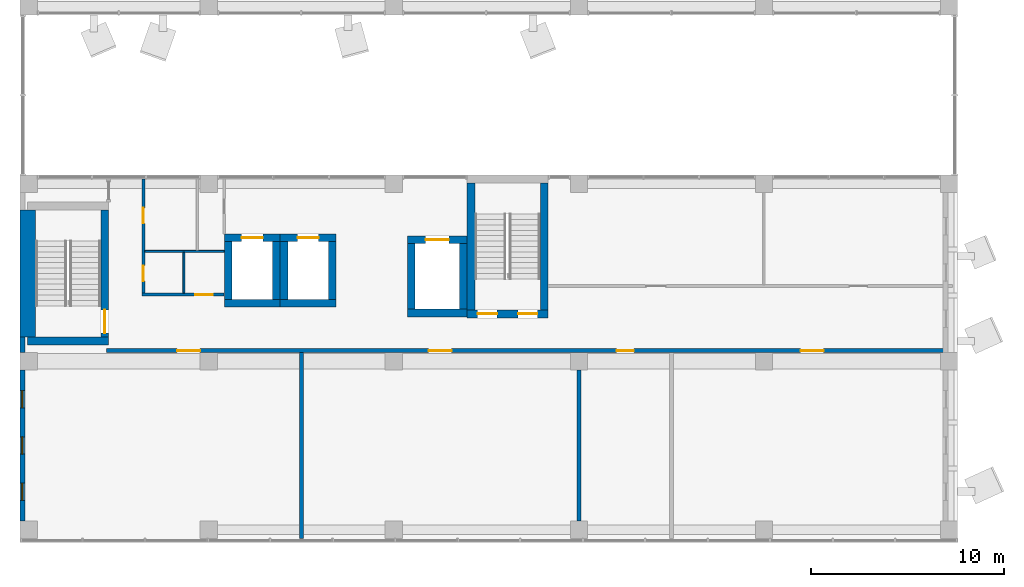
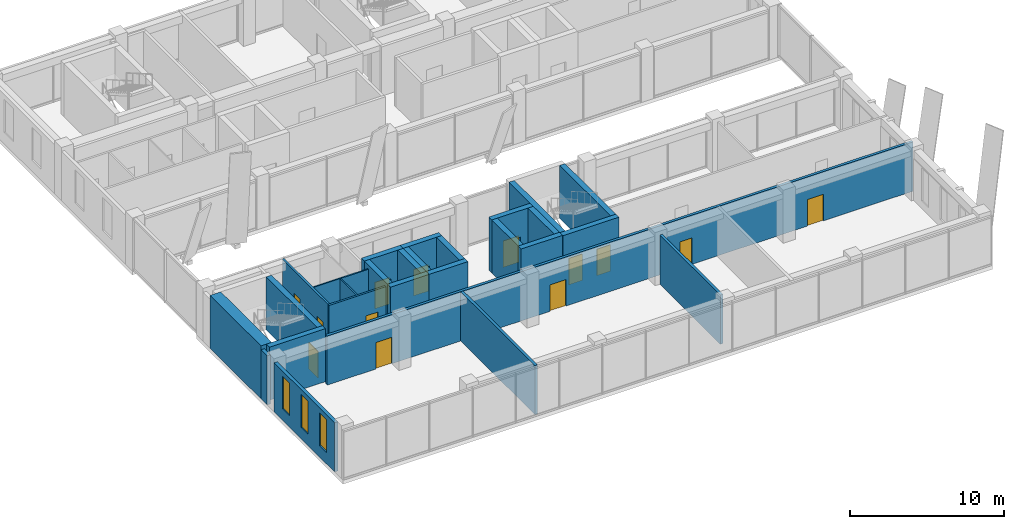
# One storey, part 26 of 36: 27 walls, 13 doors, 3 windows, 16 openings.
"""IFC4 building model written with IfcOpenShell, lengths in metres."""

from ifc_helpers import new_model, si_unit, direction, frame, frame_2d, origin, place, context, subcontext, project, spatial, rectangle, extrude, material, layer, layer_set, layer_usage, type_object, element, fill, save


model = new_model("IFC4")

# Units and contexts
model_context = context("Model", 3, precision=1e-05, world=origin(), true_north=direction((0.0, 1.0)))
body_context = subcontext(model_context, "Body", "Model", "MODEL_VIEW")
ifc_project = project(units=[si_unit("LENGTHUNIT", "METRE"), si_unit("AREAUNIT", "SQUARE_METRE"), si_unit("VOLUMEUNIT", "CUBIC_METRE"), si_unit("PLANEANGLEUNIT", "RADIAN"), si_unit("MASSUNIT", "GRAM", prefix="KILO")], contexts=[model_context])

# Site, building, storey
site_placement = place(None, origin())
site = spatial("IfcSite", under=ifc_project, at=site_placement, CompositionType="ELEMENT")
building_placement = place(site_placement, origin())
building = spatial("IfcBuilding", under=site, at=building_placement, Name="Nzadi Deep Aquarium and Research Tower", CompositionType="ELEMENT")
storey_placement = place(building_placement, frame((0.0, 0.0, 40.300048828125)))
storey = spatial("IfcBuildingStorey", under=building, at=storey_placement, Name="L07", CompositionType="ELEMENT", Elevation=40.300048828125)

# Wall
ifc_material_1 = material(Name="Concrete C35/45", Category="concrete")
ifc_layer_1 = layer(ifc_material_1, 0.14990234375, Category="cladding")
ifc_material_2 = material(Name="Mineral wool insulation")
ifc_layer_2 = layer(ifc_material_2, 0.070068359375, Category="insulation")
ifc_material_3 = material(Name="Gypsum board lining")
ifc_layer_3 = layer(ifc_material_3, 0.030029296875, Category="lining")
ifc_layer_set_1 = layer_set([ifc_layer_1, ifc_layer_2, ifc_layer_3], Name="Concrete C35/45, Mineral wool insulation, Gypsum board lining")
ifc_layer_usage_1 = layer_usage(ifc_layer_set_1, "AXIS2", "POSITIVE", -0.125)
wall_type_1 = type_object("IfcWallType", Name="End wall board-formed concrete 250", PredefinedType="ELEMENTEDWALL", material=ifc_layer_set_1)
wall_1_placement = place(storey_placement, frame((-0.074462890625, 10.449951171875, 0.0), z_axis=(0.0, 0.0, 1.0), x_axis=(0.0, -1.0, 0.0)))
element("IfcWall", 1, at=wall_1_placement, inside=storey, type_object=wall_type_1, material=ifc_layer_usage_1, Name="End wall blade A west L07", PredefinedType="ELEMENTEDWALL", context=body_context, shape_type="SweptSolid", body=[
    extrude(rectangle(XDim=0.800048828125, YDim=0.25, at=frame_2d((0.39990234375, 0.0))), origin(), (0.0, 0.0, 1.0), 3.89990234375),
])

# Wall, openings, windows
ifc_material_4 = material(Name="Graphite aluminium shingle", Category="aluminium")
ifc_layer_4 = layer(ifc_material_4, 0.050048828125, Category="cladding")
ifc_layer_5 = layer(ifc_material_1, 0.10009765625, Category="cladding")
ifc_layer_6 = layer(ifc_material_2, 0.070068359375, Category="insulation")
ifc_layer_7 = layer(ifc_material_3, 0.030029296875, Category="lining")
ifc_layer_set_2 = layer_set([ifc_layer_4, ifc_layer_5, ifc_layer_6, ifc_layer_7], Name="Graphite aluminium shingle, Concrete C35/45, Mineral wool insulation, Gypsum board lining")
ifc_layer_usage_2 = layer_usage(ifc_layer_set_2, "AXIS2", "POSITIVE", -0.125)
wall_type_2 = type_object("IfcWallType", Name="End wall shingle over board-formed concrete 250", PredefinedType="ELEMENTEDWALL", material=ifc_layer_set_2)
wall_2_placement = place(storey_placement, frame((-0.074462890625, 8.75, 0.0), z_axis=(0.0, 0.0, 1.0), x_axis=(0.0, -1.0, 0.0)))
wall_2 = element("IfcWall", 2, at=wall_2_placement, inside=storey, type_object=wall_type_2, material=ifc_layer_usage_2, Name="End wall blade A west L07", PredefinedType="ELEMENTEDWALL", context=body_context, shape_type="SweptSolid", body=[
    extrude(rectangle(XDim=7.85009765625, YDim=0.25, at=frame_2d((3.925048828125, 0.0))), origin(), (0.0, 0.0, 1.0), 3.89990234375),
])
opening_1_placement = place(wall_2_placement, frame((5.875, 0.0, 0.89990234375)))
opening_1 = element("IfcOpeningElement", 3, at=opening_1_placement, cuts=wall_2, Name="Opening WN02", PredefinedType="OPENING", context=body_context, shape_type="SweptSolid", body=[
    extrude(rectangle(XDim=0.89990234375, YDim=2.60009765625, at=frame_2d((0.449951171875, 1.300048828125))), frame((0.0, 0.135009765625, 0.0), z_axis=(0.0, -1.0, 0.0), x_axis=(1.0, 0.0, 0.0)), (0.0, 0.0, 1.0), 0.27001953125),
])
opening_2_placement = place(wall_2_placement, frame((3.47509765625, 0.0, 0.89990234375)))
opening_2 = element("IfcOpeningElement", 4, at=opening_2_placement, cuts=wall_2, Name="Opening WN02", PredefinedType="OPENING", context=body_context, shape_type="SweptSolid", body=[
    extrude(rectangle(XDim=0.89990234375, YDim=2.60009765625, at=frame_2d((0.449951171875, 1.300048828125))), frame((0.0, 0.135009765625, 0.0), z_axis=(0.0, -1.0, 0.0), x_axis=(1.0, 0.0, 0.0)), (0.0, 0.0, 1.0), 0.27001953125),
])
opening_3_placement = place(wall_2_placement, frame((1.074951171875, 0.0, 0.89990234375)))
opening_3 = element("IfcOpeningElement", 5, at=opening_3_placement, cuts=wall_2, Name="Opening WN02", PredefinedType="OPENING", context=body_context, shape_type="SweptSolid", body=[
    extrude(rectangle(XDim=0.89990234375, YDim=2.60009765625, at=frame_2d((0.449951171875, 1.300048828125))), frame((0.0, 0.135009765625, 0.0), z_axis=(0.0, -1.0, 0.0), x_axis=(1.0, 0.0, 0.0)), (0.0, 0.0, 1.0), 0.27001953125),
])
ifc_material_5 = material(Name="Aluminium window, sage tint glazing", Category="aluminium")
window_type = type_object("IfcWindowType", Name="Slot window 900x2600 sill 900", PartitioningType="SINGLE_PANEL", PredefinedType="WINDOW", material=ifc_material_5)
window_1_placement = place(opening_1_placement, origin())
window_1 = element("IfcWindow", 6, at=window_1_placement, inside=storey, type_object=window_type, Name="Slot window L07 AW", OverallHeight=2.60009765625, OverallWidth=0.89990234375, PartitioningType="SINGLE_PANEL", PredefinedType="WINDOW", context=body_context, shape_type="SweptSolid", body=[
    extrude(rectangle(XDim=0.89990234375, YDim=2.60009765625, at=frame_2d((0.449951171875, 1.300048828125))), frame((0.0, 0.030029296875, 0.0), z_axis=(0.0, -1.0, 0.0), x_axis=(1.0, 0.0, 0.0)), (0.0, 0.0, 1.0), 0.06005859375),
])
fill(opening_1, window_1)
window_2_placement = place(opening_2_placement, origin())
window_2 = element("IfcWindow", 7, at=window_2_placement, inside=storey, type_object=window_type, Name="Slot window L07 AW", OverallHeight=2.60009765625, OverallWidth=0.89990234375, PartitioningType="SINGLE_PANEL", PredefinedType="WINDOW", context=body_context, shape_type="SweptSolid", body=[
    extrude(rectangle(XDim=0.89990234375, YDim=2.60009765625, at=frame_2d((0.449951171875, 1.300048828125))), frame((0.0, 0.030029296875, 0.0), z_axis=(0.0, -1.0, 0.0), x_axis=(1.0, 0.0, 0.0)), (0.0, 0.0, 1.0), 0.06005859375),
])
fill(opening_2, window_2)
window_3_placement = place(opening_3_placement, origin())
window_3 = element("IfcWindow", 8, at=window_3_placement, inside=storey, type_object=window_type, Name="Slot window L07 AW", OverallHeight=2.60009765625, OverallWidth=0.89990234375, PartitioningType="SINGLE_PANEL", PredefinedType="WINDOW", context=body_context, shape_type="SweptSolid", body=[
    extrude(rectangle(XDim=0.89990234375, YDim=2.60009765625, at=frame_2d((0.449951171875, 1.300048828125))), frame((0.0, 0.030029296875, 0.0), z_axis=(0.0, -1.0, 0.0), x_axis=(1.0, 0.0, 0.0)), (0.0, 0.0, 1.0), 0.06005859375),
])
fill(opening_3, window_3)

# Walls
ifc_material_6 = material(Name="Blockwork masonry", Category="masonry")
ifc_layer_8 = layer(ifc_material_6, 0.10009765625)
ifc_layer_set_3 = layer_set([ifc_layer_8], Name="Blockwork masonry")
wall_type_3 = type_object("IfcWallType", Name="Partition 100 EI 30", PredefinedType="PARTITIONING", material=ifc_layer_set_3)
wall_3_placement = place(storey_placement, frame((6.27490234375, 14.89990234375, 0.0), z_axis=(0.0, 0.0, 1.0), x_axis=(1.0, 0.0, 0.0)))
element("IfcWall", 9, at=wall_3_placement, inside=storey, type_object=wall_type_3, Name="W-Z1-L07-P010", PredefinedType="PARTITIONING", context=body_context, shape_type="SweptSolid", body=[
    extrude(rectangle(XDim=4.119140625, YDim=0.10009765625, at=frame_2d((2.0595703125, 0.0))), origin(), (0.0, 0.0, 1.0), 3.89990234375),
])
wall_4_placement = place(storey_placement, frame((8.300048828125, 12.72509765625, 0.0), z_axis=(0.0, 0.0, 1.0), x_axis=(0.0, 1.0, 0.0)))
element("IfcWall", 10, at=wall_4_placement, inside=storey, type_object=wall_type_3, Name="W-Z1-L07-P012", PredefinedType="PARTITIONING", context=body_context, shape_type="SweptSolid", body=[
    extrude(rectangle(XDim=2.125, YDim=0.10009765625, at=frame_2d((1.0625, 0.0))), origin(), (0.0, 0.0, 1.0), 3.89990234375),
])

# Wall, opening, door
ifc_material_7 = material(Name="Blockwork masonry", Category="masonry")
ifc_layer_9 = layer(ifc_material_7, 0.14990234375)
ifc_layer_set_4 = layer_set([ifc_layer_9], Name="Blockwork masonry")
wall_type_4 = type_object("IfcWallType", Name="Partition 150 EI 60", PredefinedType="PARTITIONING", material=ifc_layer_set_4)
wall_5_placement = place(storey_placement, frame((6.125, 12.64990234375, 0.0), z_axis=(0.0, 0.0, 1.0), x_axis=(1.0, 0.0, 0.0)))
wall_5 = element("IfcWall", 11, at=wall_5_placement, inside=storey, type_object=wall_type_4, Name="W-Z1-L07-P008", PredefinedType="PARTITIONING", context=body_context, shape_type="SweptSolid", body=[
    extrude(rectangle(XDim=4.26904296875, YDim=0.14990234375, at=frame_2d((2.134521484375, 0.0))), origin(), (0.0, 0.0, 1.0), 3.89990234375),
])
opening_4_placement = place(wall_5_placement, frame((2.77490234375, 0.0, 0.0)))
opening_4 = element("IfcOpeningElement", 12, at=opening_4_placement, cuts=wall_5, Name="Opening D081003", PredefinedType="OPENING", context=body_context, shape_type="SweptSolid", body=[
    extrude(rectangle(XDim=0.89990234375, YDim=2.10009765625, at=frame_2d((0.449951171875, 1.050048828125))), frame((0.0, 0.0849609375, 0.0), z_axis=(0.0, -1.0, 0.0), x_axis=(1.0, 0.0, 0.0)), (0.0, 0.0, 1.0), 0.169921875),
])
ifc_material_8 = material(Name="Fire-rated steel door", Category="steel")
ifc_layer_10 = layer(ifc_material_8, 0.050048828125)
ifc_layer_set_5 = layer_set([ifc_layer_10], Name="Fire-rated steel door")
door_type_1 = type_object("IfcDoorType", Name="Door 900x2100 EI 60 single", OperationType="SINGLE_SWING_LEFT", PredefinedType="DOOR", material=ifc_layer_set_5)
door_1_placement = place(opening_4_placement, origin())
door_1 = element("IfcDoor", 13, at=door_1_placement, inside=storey, type_object=door_type_1, Name="D081003", OperationType="SINGLE_SWING_RIGHT", OverallHeight=2.10009765625, OverallWidth=0.89990234375, PredefinedType="DOOR", context=body_context, shape_type="SweptSolid", body=[
    extrude(rectangle(XDim=0.89990234375, YDim=2.10009765625, at=frame_2d((0.449951171875, 1.050048828125))), frame((0.0, 0.02490234375, 0.0), z_axis=(0.0, -1.0, 0.0), x_axis=(1.0, 0.0, 0.0)), (0.0, 0.0, 1.0), 0.050048828125),
])
fill(opening_4, door_1)

# Wall, openings, doors
wall_6_placement = place(storey_placement, frame((6.199951171875, 12.72509765625, 0.0), z_axis=(0.0, 0.0, 1.0), x_axis=(0.0, 1.0, 0.0)))
wall_6 = element("IfcWall", 14, at=wall_6_placement, inside=storey, type_object=wall_type_4, Name="W-Z1-L07-P009", PredefinedType="PARTITIONING", context=body_context, shape_type="SweptSolid", body=[
    extrude(rectangle(XDim=5.9189453125, YDim=0.14990234375, at=frame_2d((2.95947265625, 0.0))), origin(), (0.0, 0.0, 1.0), 3.89990234375),
])
opening_5_placement = place(wall_6_placement, frame((0.625, 0.0, 0.0)))
opening_5 = element("IfcOpeningElement", 15, at=opening_5_placement, cuts=wall_6, Name="Opening D081002", PredefinedType="OPENING", context=body_context, shape_type="SweptSolid", body=[
    extrude(rectangle(XDim=0.800048828125, YDim=2.10009765625, at=frame_2d((0.39990234375, 1.050048828125))), frame((0.0, 0.0849609375, 0.0), z_axis=(0.0, -1.0, 0.0), x_axis=(1.0, 0.0, 0.0)), (0.0, 0.0, 1.0), 0.169921875),
])
opening_6_placement = place(wall_6_placement, frame((3.625, 0.0, 0.0)))
opening_6 = element("IfcOpeningElement", 16, at=opening_6_placement, cuts=wall_6, Name="Opening D081004", PredefinedType="OPENING", context=body_context, shape_type="SweptSolid", body=[
    extrude(rectangle(XDim=0.800048828125, YDim=2.10009765625, at=frame_2d((0.39990234375, 1.050048828125))), frame((0.0, 0.0849609375, 0.0), z_axis=(0.0, -1.0, 0.0), x_axis=(1.0, 0.0, 0.0)), (0.0, 0.0, 1.0), 0.169921875),
])
ifc_material_9 = material(Name="Fire-rated steel door", Category="steel")
ifc_layer_11 = layer(ifc_material_9, 0.050048828125)
ifc_layer_set_6 = layer_set([ifc_layer_11], Name="Fire-rated steel door")
door_type_2 = type_object("IfcDoorType", Name="Door 800x2100 EI 60 single", OperationType="SINGLE_SWING_LEFT", PredefinedType="DOOR", material=ifc_layer_set_6)
door_2_placement = place(opening_5_placement, origin())
door_2 = element("IfcDoor", 17, at=door_2_placement, inside=storey, type_object=door_type_2, Name="D081002", OperationType="SINGLE_SWING_LEFT", OverallHeight=2.10009765625, OverallWidth=0.800048828125, PredefinedType="DOOR", context=body_context, shape_type="SweptSolid", body=[
    extrude(rectangle(XDim=0.800048828125, YDim=2.10009765625, at=frame_2d((0.39990234375, 1.050048828125))), frame((0.0, 0.02490234375, 0.0), z_axis=(0.0, -1.0, 0.0), x_axis=(1.0, 0.0, 0.0)), (0.0, 0.0, 1.0), 0.050048828125),
])
fill(opening_5, door_2)
door_3_placement = place(opening_6_placement, origin())
door_3 = element("IfcDoor", 18, at=door_3_placement, inside=storey, type_object=door_type_2, Name="D081004", OperationType="SINGLE_SWING_LEFT", OverallHeight=2.10009765625, OverallWidth=0.800048828125, PredefinedType="DOOR", context=body_context, shape_type="SweptSolid", body=[
    extrude(rectangle(XDim=0.800048828125, YDim=2.10009765625, at=frame_2d((0.39990234375, 1.050048828125))), frame((0.0, 0.02490234375, 0.0), z_axis=(0.0, -1.0, 0.0), x_axis=(1.0, 0.0, 0.0)), (0.0, 0.0, 1.0), 0.050048828125),
])
fill(opening_6, door_3)

ifc_material_10 = material(Name="Blockwork masonry", Category="masonry")
ifc_layer_12 = layer(ifc_material_10, 0.199951171875)
ifc_layer_set_7 = layer_set([ifc_layer_12], Name="Blockwork masonry")
wall_type_5 = type_object("IfcWallType", Name="Partition 200 EI 120", PredefinedType="PARTITIONING", material=ifc_layer_set_7)
wall_7_placement = place(storey_placement, frame((4.300048828125, 9.75, 0.0), z_axis=(0.0, 0.0, 1.0), x_axis=(1.0, 0.0, 0.0)))
wall_7 = element("IfcWall", 19, at=wall_7_placement, inside=storey, type_object=wall_type_5, Name="W-Z1-L07-P005", PredefinedType="PARTITIONING", context=body_context, shape_type="SweptSolid", body=[
    extrude(rectangle(XDim=43.89404296875, YDim=0.199951171875, at=frame_2d((21.947021484375, 0.0))), origin(), (0.0, 0.0, 1.0), 3.89990234375),
])
opening_7_placement = place(wall_7_placement, frame((3.64990234375, 0.0, 0.0)))
opening_7 = element("IfcOpeningElement", 20, at=opening_7_placement, cuts=wall_7, Name="Opening D081006", PredefinedType="OPENING", context=body_context, shape_type="SweptSolid", body=[
    extrude(rectangle(XDim=1.199951171875, YDim=2.10009765625, at=frame_2d((0.60009765625, 1.050048828125))), frame((0.0, 0.110107421875, 0.0), z_axis=(0.0, -1.0, 0.0), x_axis=(1.0, 0.0, 0.0)), (0.0, 0.0, 1.0), 0.22021484375),
])
opening_8_placement = place(wall_7_placement, frame((16.699951171875, 0.0, 0.0)))
opening_8 = element("IfcOpeningElement", 21, at=opening_8_placement, cuts=wall_7, Name="Opening D081007", PredefinedType="OPENING", context=body_context, shape_type="SweptSolid", body=[
    extrude(rectangle(XDim=1.199951171875, YDim=2.10009765625, at=frame_2d((0.60009765625, 1.050048828125))), frame((0.0, 0.110107421875, 0.0), z_axis=(0.0, -1.0, 0.0), x_axis=(1.0, 0.0, 0.0)), (0.0, 0.0, 1.0), 0.22021484375),
])
opening_9_placement = place(wall_7_placement, frame((26.449951171875, 0.0, 0.0)))
opening_9 = element("IfcOpeningElement", 22, at=opening_9_placement, cuts=wall_7, Name="Opening D081008", PredefinedType="OPENING", context=body_context, shape_type="SweptSolid", body=[
    extrude(rectangle(XDim=0.89990234375, YDim=2.10009765625, at=frame_2d((0.449951171875, 1.050048828125))), frame((0.0, 0.110107421875, 0.0), z_axis=(0.0, -1.0, 0.0), x_axis=(1.0, 0.0, 0.0)), (0.0, 0.0, 1.0), 0.22021484375),
])
opening_10_placement = place(wall_7_placement, frame((36.0, 0.0, 0.0)))
opening_10 = element("IfcOpeningElement", 23, at=opening_10_placement, cuts=wall_7, Name="Opening D081009", PredefinedType="OPENING", context=body_context, shape_type="SweptSolid", body=[
    extrude(rectangle(XDim=1.199951171875, YDim=2.10009765625, at=frame_2d((0.60009765625, 1.050048828125))), frame((0.0, 0.110107421875, 0.0), z_axis=(0.0, -1.0, 0.0), x_axis=(1.0, 0.0, 0.0)), (0.0, 0.0, 1.0), 0.22021484375),
])
ifc_material_11 = material(Name="Fire-rated steel door", Category="steel")
ifc_layer_13 = layer(ifc_material_11, 0.050048828125)
ifc_layer_set_8 = layer_set([ifc_layer_13], Name="Fire-rated steel door")
door_type_3 = type_object("IfcDoorType", Name="Door 1200x2100 EI 120 single", OperationType="SINGLE_SWING_LEFT", PredefinedType="DOOR", material=ifc_layer_set_8)
door_4_placement = place(opening_7_placement, origin())
door_4 = element("IfcDoor", 24, at=door_4_placement, inside=storey, type_object=door_type_3, Name="D081006", OperationType="SINGLE_SWING_RIGHT", OverallHeight=2.10009765625, OverallWidth=1.199951171875, PredefinedType="DOOR", context=body_context, shape_type="SweptSolid", body=[
    extrude(rectangle(XDim=1.199951171875, YDim=2.10009765625, at=frame_2d((0.60009765625, 1.050048828125))), frame((0.0, 0.02490234375, 0.0), z_axis=(0.0, -1.0, 0.0), x_axis=(1.0, 0.0, 0.0)), (0.0, 0.0, 1.0), 0.050048828125),
])
fill(opening_7, door_4)
door_5_placement = place(opening_8_placement, origin())
door_5 = element("IfcDoor", 25, at=door_5_placement, inside=storey, type_object=door_type_3, Name="D081007", OperationType="SINGLE_SWING_RIGHT", OverallHeight=2.10009765625, OverallWidth=1.199951171875, PredefinedType="DOOR", context=body_context, shape_type="SweptSolid", body=[
    extrude(rectangle(XDim=1.199951171875, YDim=2.10009765625, at=frame_2d((0.60009765625, 1.050048828125))), frame((0.0, 0.02490234375, 0.0), z_axis=(0.0, -1.0, 0.0), x_axis=(1.0, 0.0, 0.0)), (0.0, 0.0, 1.0), 0.050048828125),
])
fill(opening_8, door_5)
door_6_placement = place(opening_10_placement, origin())
door_6 = element("IfcDoor", 26, at=door_6_placement, inside=storey, type_object=door_type_3, Name="D081009", OperationType="SINGLE_SWING_LEFT", OverallHeight=2.10009765625, OverallWidth=1.199951171875, PredefinedType="DOOR", context=body_context, shape_type="SweptSolid", body=[
    extrude(rectangle(XDim=1.199951171875, YDim=2.10009765625, at=frame_2d((0.60009765625, 1.050048828125))), frame((0.0, 0.02490234375, 0.0), z_axis=(0.0, -1.0, 0.0), x_axis=(1.0, 0.0, 0.0)), (0.0, 0.0, 1.0), 0.050048828125),
])
fill(opening_10, door_6)
ifc_material_12 = material(Name="Fire-rated steel door", Category="steel")
ifc_layer_14 = layer(ifc_material_12, 0.050048828125)
ifc_layer_set_9 = layer_set([ifc_layer_14], Name="Fire-rated steel door")
door_type_4 = type_object("IfcDoorType", Name="Door 900x2100 EI 120 single", OperationType="SINGLE_SWING_LEFT", PredefinedType="DOOR", material=ifc_layer_set_9)
door_7_placement = place(opening_9_placement, origin())
door_7 = element("IfcDoor", 27, at=door_7_placement, inside=storey, type_object=door_type_4, Name="D081008", OperationType="SINGLE_SWING_LEFT", OverallHeight=2.10009765625, OverallWidth=0.89990234375, PredefinedType="DOOR", context=body_context, shape_type="SweptSolid", body=[
    extrude(rectangle(XDim=0.89990234375, YDim=2.10009765625, at=frame_2d((0.449951171875, 1.050048828125))), frame((0.0, 0.02490234375, 0.0), z_axis=(0.0, -1.0, 0.0), x_axis=(1.0, 0.0, 0.0)), (0.0, 0.0, 1.0), 0.050048828125),
])
fill(opening_9, door_7)

# Walls
wall_8_placement = place(storey_placement, frame((14.39990234375, 0.006103515625, 0.0), z_axis=(0.0, 0.0, 1.0), x_axis=(0.0, 1.0, 0.0)))
element("IfcWall", 28, at=wall_8_placement, inside=storey, type_object=wall_type_5, Name="W-Z1-L07-P023", PredefinedType="PARTITIONING", context=body_context, shape_type="SweptSolid", body=[
    extrude(rectangle(XDim=9.643798828125, YDim=0.199951171875, at=frame_2d((4.82177734375, 0.0))), origin(), (0.0, 0.0, 1.0), 3.89990234375),
])
wall_9_placement = place(storey_placement, frame((28.800048828125, 0.89990234375, 0.0), z_axis=(0.0, 0.0, 1.0), x_axis=(0.0, 1.0, 0.0)))
element("IfcWall", 29, at=wall_9_placement, inside=storey, type_object=wall_type_5, Name="W-Z1-L07-P035", PredefinedType="PARTITIONING", context=body_context, shape_type="SweptSolid", body=[
    extrude(rectangle(XDim=7.85009765625, YDim=0.199951171875, at=frame_2d((3.925048828125, 0.0))), origin(), (0.0, 0.0, 1.0), 3.89990234375),
])
ifc_material_13 = material(Name="Concrete C35/45", Category="concrete")
ifc_layer_15 = layer(ifc_material_13, 0.39990234375)
ifc_layer_set_10 = layer_set([ifc_layer_15], Name="Concrete C35/45")
wall_type_6 = type_object("IfcWallType", Name="RC core wall 400", PredefinedType="SHEAR", material=ifc_layer_set_10)
wall_10_placement = place(storey_placement, frame((0.199951171875, 10.25, 0.0), z_axis=(0.0, 0.0, 1.0), x_axis=(1.0, 0.0, 0.0)))
element("IfcWall", 30, at=wall_10_placement, inside=storey, type_object=wall_type_6, Name="W-CORE-ST-Z1-SW-L07-S", PredefinedType="SHEAR", context=body_context, shape_type="SweptSolid", body=[
    extrude(rectangle(XDim=4.199951171875, YDim=0.39990234375, at=frame_2d((2.10009765625, 0.0))), origin(), (0.0, 0.0, 1.0), 4.199951171875),
])

# Wall, opening, door
wall_11_placement = place(storey_placement, frame((4.199951171875, 10.449951171875, 0.0), z_axis=(0.0, 0.0, 1.0), x_axis=(0.0, 1.0, 0.0)))
wall_11 = element("IfcWall", 31, at=wall_11_placement, inside=storey, type_object=wall_type_6, Name="W-CORE-ST-Z1-SW-L07-E", PredefinedType="SHEAR", context=body_context, shape_type="SweptSolid", body=[
    extrude(rectangle(XDim=6.60009765625, YDim=0.39990234375, at=frame_2d((3.300048828125, 0.0))), origin(), (0.0, 0.0, 1.0), 4.199951171875),
])
opening_11_placement = place(wall_11_placement, frame((0.2099609375, 0.0, 0.0)))
opening_11 = element("IfcOpeningElement", 32, at=opening_11_placement, cuts=wall_11, Name="Opening DS-Z1-SW-L07", PredefinedType="OPENING", context=body_context, shape_type="SweptSolid", body=[
    extrude(rectangle(XDim=1.199951171875, YDim=2.10009765625, at=frame_2d((0.60009765625, 1.050048828125))), frame((0.0, 0.2099609375, 0.0), z_axis=(0.0, -1.0, 0.0), x_axis=(1.0, 0.0, 0.0)), (0.0, 0.0, 1.0), 0.419921875),
])
ifc_material_14 = material(Name="Steel, powder coated", Category="steel")
door_type_5 = type_object("IfcDoorType", Name="STAIR DOOR 1200x2100 EI 60", OperationType="SINGLE_SWING_LEFT", PredefinedType="DOOR", material=ifc_material_14)
door_8_placement = place(opening_11_placement, origin())
door_8 = element("IfcDoor", 33, at=door_8_placement, inside=storey, type_object=door_type_5, Name="Stair door ST-Z1-SW L07", OperationType="SINGLE_SWING_RIGHT", OverallHeight=2.10009765625, OverallWidth=1.199951171875, PredefinedType="DOOR", context=body_context, shape_type="SweptSolid", body=[
    extrude(rectangle(XDim=1.199951171875, YDim=2.10009765625, at=frame_2d((0.60009765625, 1.050048828125))), frame((0.0, 0.02490234375, 0.0), z_axis=(0.0, -1.0, 0.0), x_axis=(1.0, 0.0, 0.0)), (0.0, 0.0, 1.0), 0.050048828125),
])
fill(opening_11, door_8)

# Wall, openings, doors
wall_12_placement = place(storey_placement, frame((23.0, 11.64990234375, 0.0), z_axis=(0.0, 0.0, 1.0), x_axis=(1.0, 0.0, 0.0)))
wall_12 = element("IfcWall", 34, at=wall_12_placement, inside=storey, type_object=wall_type_6, Name="W-CORE-ST-Z1-SE-L07-S", PredefinedType="SHEAR", context=body_context, shape_type="SweptSolid", body=[
    extrude(rectangle(XDim=4.199951171875, YDim=0.39990234375, at=frame_2d((2.10009765625, 0.0))), origin(), (0.0, 0.0, 1.0), 4.199951171875),
])
opening_12_placement = place(wall_12_placement, frame((0.550048828125, 0.0, 0.0)))
opening_12 = element("IfcOpeningElement", 35, at=opening_12_placement, cuts=wall_12, Name="Opening DS-Z1-SE-L07A", PredefinedType="OPENING", context=body_context, shape_type="SweptSolid", body=[
    extrude(rectangle(XDim=1.0, YDim=2.10009765625, at=frame_2d((0.5, 1.050048828125))), frame((0.0, 0.2099609375, 0.0), z_axis=(0.0, -1.0, 0.0), x_axis=(1.0, 0.0, 0.0)), (0.0, 0.0, 1.0), 0.419921875),
])
opening_13_placement = place(wall_12_placement, frame((2.64990234375, 0.0, 0.0)))
opening_13 = element("IfcOpeningElement", 36, at=opening_13_placement, cuts=wall_12, Name="Opening DS-Z1-SE-L07B", PredefinedType="OPENING", context=body_context, shape_type="SweptSolid", body=[
    extrude(rectangle(XDim=1.0, YDim=2.10009765625, at=frame_2d((0.5, 1.050048828125))), frame((0.0, 0.2099609375, 0.0), z_axis=(0.0, -1.0, 0.0), x_axis=(1.0, 0.0, 0.0)), (0.0, 0.0, 1.0), 0.419921875),
])
ifc_material_15 = material(Name="Steel, powder coated", Category="steel")
door_type_6 = type_object("IfcDoorType", Name="STAIR DOOR 1000x2100 EI 60", OperationType="SINGLE_SWING_LEFT", PredefinedType="DOOR", material=ifc_material_15)
door_9_placement = place(opening_12_placement, origin())
door_9 = element("IfcDoor", 37, at=door_9_placement, inside=storey, type_object=door_type_6, Name="Stair door ST-Z1-SE L07 A", OperationType="SINGLE_SWING_RIGHT", OverallHeight=2.10009765625, OverallWidth=1.0, PredefinedType="DOOR", context=body_context, shape_type="SweptSolid", body=[
    extrude(rectangle(XDim=1.0, YDim=2.10009765625, at=frame_2d((0.5, 1.050048828125))), frame((0.0, 0.02490234375, 0.0), z_axis=(0.0, -1.0, 0.0), x_axis=(1.0, 0.0, 0.0)), (0.0, 0.0, 1.0), 0.050048828125),
])
fill(opening_12, door_9)
door_10_placement = place(opening_13_placement, origin())
door_10 = element("IfcDoor", 38, at=door_10_placement, inside=storey, type_object=door_type_6, Name="Stair door ST-Z1-SE L07 B", OperationType="SINGLE_SWING_LEFT", OverallHeight=2.10009765625, OverallWidth=1.0, PredefinedType="DOOR", context=body_context, shape_type="SweptSolid", body=[
    extrude(rectangle(XDim=1.0, YDim=2.10009765625, at=frame_2d((0.5, 1.050048828125))), frame((0.0, 0.02490234375, 0.0), z_axis=(0.0, -1.0, 0.0), x_axis=(1.0, 0.0, 0.0)), (0.0, 0.0, 1.0), 0.050048828125),
])
fill(opening_13, door_10)

# Walls
for number, where, z_axis, x_axis, name in (
    (39, (23.199951171875, 11.85009765625, 0.0), (0.0, 0.0, 1.0), (0.0, 1.0, 0.0), "W-CORE-ST-Z1-SE-L07-W"),
    (40, (27.0, 11.85009765625, 0.0), (0.0, 0.0, 1.0), (0.0, 1.0, 0.0), "W-CORE-ST-Z1-SE-L07-E"),
):
    element("IfcWall", number, at=place(storey_placement, frame(where, z_axis=z_axis, x_axis=x_axis)), inside=storey, type_object=wall_type_6, Name=name, PredefinedType="SHEAR", context=body_context, shape_type="SweptSolid", body=[
        extrude(rectangle(XDim=6.599853515625, YDim=0.39990234375, at=frame_2d((3.2998046875, 0.0))), origin(), (0.0, 0.0, 1.0), 4.199951171875),
    ])
wall_13_placement = place(storey_placement, frame((10.39990234375, 12.199951171875, 0.0), z_axis=(0.0, 0.0, 1.0), x_axis=(1.0, 0.0, 0.0)))
element("IfcWall", 41, at=wall_13_placement, inside=storey, type_object=wall_type_6, Name="W-CORE-TL1-L07-S", PredefinedType="SHEAR", context=body_context, shape_type="SweptSolid", body=[
    extrude(rectangle(XDim=2.900146484375, YDim=0.39990234375, at=frame_2d((1.4501953125, 0.0))), origin(), (0.0, 0.0, 1.0), 4.199951171875),
])

# Wall, opening, door
wall_14_placement = place(storey_placement, frame((10.39990234375, 15.60009765625, 0.0), z_axis=(0.0, 0.0, 1.0), x_axis=(1.0, 0.0, 0.0)))
wall_14 = element("IfcWall", 42, at=wall_14_placement, inside=storey, type_object=wall_type_6, Name="W-CORE-TL1-L07-N", PredefinedType="SHEAR", context=body_context, shape_type="SweptSolid", body=[
    extrude(rectangle(XDim=2.900146484375, YDim=0.39990234375, at=frame_2d((1.4501953125, 0.0))), origin(), (0.0, 0.0, 1.0), 4.199951171875),
])
opening_14_placement = place(wall_14_placement, frame((0.89990234375, 0.0, 0.0)))
opening_14 = element("IfcOpeningElement", 43, at=opening_14_placement, cuts=wall_14, Name="Opening LD-TL1-L07", PredefinedType="OPENING", context=body_context, shape_type="SweptSolid", body=[
    extrude(rectangle(XDim=1.10009765625, YDim=2.10009765625, at=frame_2d((0.550048828125, 1.050048828125))), frame((0.0, 0.2099609375, 0.0), z_axis=(0.0, -1.0, 0.0), x_axis=(1.0, 0.0, 0.0)), (0.0, 0.0, 1.0), 0.419921875),
])
ifc_material_16 = material(Name="Stainless steel 1.4301", Category="steel")
door_type_7 = type_object("IfcDoorType", Name="LANDING DOOR 1100x2100", OperationType="DOUBLE_DOOR_SLIDING", PredefinedType="DOOR", material=ifc_material_16)
door_11_placement = place(opening_14_placement, origin())
door_11 = element("IfcDoor", 44, at=door_11_placement, inside=storey, type_object=door_type_7, Name="Landing door TL1 L07", OperationType="DOUBLE_DOOR_SLIDING", OverallHeight=2.10009765625, OverallWidth=1.10009765625, PredefinedType="DOOR", context=body_context, shape_type="SweptSolid", body=[
    extrude(rectangle(XDim=1.10009765625, YDim=2.10009765625, at=frame_2d((0.550048828125, 1.050048828125))), frame((0.0, 0.02490234375, 0.0), z_axis=(0.0, -1.0, 0.0), x_axis=(1.0, 0.0, 0.0)), (0.0, 0.0, 1.0), 0.050048828125),
])
fill(opening_14, door_11)

# Walls
for number, where, z_axis, x_axis, name in (
    (45, (10.60009765625, 12.39990234375, 0.0), (0.0, 0.0, 1.0), (0.0, 1.0, 0.0), "W-CORE-TL1-L07-W"),
    (46, (13.10009765625, 12.39990234375, 0.0), (0.0, 0.0, 1.0), (0.0, 1.0, 0.0), "W-CORE-TL1-L07-E"),
):
    element("IfcWall", number, at=place(storey_placement, frame(where, z_axis=z_axis, x_axis=x_axis)), inside=storey, type_object=wall_type_6, Name=name, PredefinedType="SHEAR", context=body_context, shape_type="SweptSolid", body=[
        extrude(rectangle(XDim=3.0, YDim=0.39990234375, at=frame_2d((1.5, 0.0))), origin(), (0.0, 0.0, 1.0), 4.199951171875),
    ])
wall_15_placement = place(storey_placement, frame((13.300048828125, 12.199951171875, 0.0), z_axis=(0.0, 0.0, 1.0), x_axis=(1.0, 0.0, 0.0)))
element("IfcWall", 47, at=wall_15_placement, inside=storey, type_object=wall_type_6, Name="W-CORE-TL2-L07-S", PredefinedType="SHEAR", context=body_context, shape_type="SweptSolid", body=[
    extrude(rectangle(XDim=2.89990234375, YDim=0.39990234375, at=frame_2d((1.449951171875, 0.0))), origin(), (0.0, 0.0, 1.0), 4.199951171875),
])

# Wall, opening, door
wall_16_placement = place(storey_placement, frame((13.300048828125, 15.60009765625, 0.0), z_axis=(0.0, 0.0, 1.0), x_axis=(1.0, 0.0, 0.0)))
wall_16 = element("IfcWall", 48, at=wall_16_placement, inside=storey, type_object=wall_type_6, Name="W-CORE-TL2-L07-N", PredefinedType="SHEAR", context=body_context, shape_type="SweptSolid", body=[
    extrude(rectangle(XDim=2.89990234375, YDim=0.39990234375, at=frame_2d((1.449951171875, 0.0))), origin(), (0.0, 0.0, 1.0), 4.199951171875),
])
opening_15_placement = place(wall_16_placement, frame((0.89990234375, 0.0, 0.0)))
opening_15 = element("IfcOpeningElement", 49, at=opening_15_placement, cuts=wall_16, Name="Opening LD-TL2-L07", PredefinedType="OPENING", context=body_context, shape_type="SweptSolid", body=[
    extrude(rectangle(XDim=1.10009765625, YDim=2.10009765625, at=frame_2d((0.550048828125, 1.050048828125))), frame((0.0, 0.2099609375, 0.0), z_axis=(0.0, -1.0, 0.0), x_axis=(1.0, 0.0, 0.0)), (0.0, 0.0, 1.0), 0.419921875),
])
door_12_placement = place(opening_15_placement, origin())
door_12 = element("IfcDoor", 50, at=door_12_placement, inside=storey, type_object=door_type_7, Name="Landing door TL2 L07", OperationType="DOUBLE_DOOR_SLIDING", OverallHeight=2.10009765625, OverallWidth=1.10009765625, PredefinedType="DOOR", context=body_context, shape_type="SweptSolid", body=[
    extrude(rectangle(XDim=1.10009765625, YDim=2.10009765625, at=frame_2d((0.550048828125, 1.050048828125))), frame((0.0, 0.02490234375, 0.0), z_axis=(0.0, -1.0, 0.0), x_axis=(1.0, 0.0, 0.0)), (0.0, 0.0, 1.0), 0.050048828125),
])
fill(opening_15, door_12)

# Walls
for number, where, z_axis, x_axis, name in (
    (51, (13.5, 12.39990234375, 0.0), (0.0, 0.0, 1.0), (0.0, 1.0, 0.0), "W-CORE-TL2-L07-W"),
    (52, (16.0, 12.39990234375, 0.0), (0.0, 0.0, 1.0), (0.0, 1.0, 0.0), "W-CORE-TL2-L07-E"),
):
    element("IfcWall", number, at=place(storey_placement, frame(where, z_axis=z_axis, x_axis=x_axis)), inside=storey, type_object=wall_type_6, Name=name, PredefinedType="SHEAR", context=body_context, shape_type="SweptSolid", body=[
        extrude(rectangle(XDim=3.0, YDim=0.39990234375, at=frame_2d((1.5, 0.0))), origin(), (0.0, 0.0, 1.0), 4.199951171875),
    ])
wall_17_placement = place(storey_placement, frame((19.89990234375, 11.699951171875, 0.0), z_axis=(0.0, 0.0, 1.0), x_axis=(1.0, 0.0, 0.0)))
element("IfcWall", 53, at=wall_17_placement, inside=storey, type_object=wall_type_6, Name="W-CORE-FL1-L07-S", PredefinedType="SHEAR", context=body_context, shape_type="SweptSolid", body=[
    extrude(rectangle(XDim=3.10009765625, YDim=0.39990234375, at=frame_2d((1.550048828125, 0.0))), origin(), (0.0, 0.0, 1.0), 4.199951171875),
])

# Wall, opening, door
wall_18_placement = place(storey_placement, frame((19.89990234375, 15.5, 0.0), z_axis=(0.0, 0.0, 1.0), x_axis=(1.0, 0.0, 0.0)))
wall_18 = element("IfcWall", 54, at=wall_18_placement, inside=storey, type_object=wall_type_6, Name="W-CORE-FL1-L07-N", PredefinedType="SHEAR", context=body_context, shape_type="SweptSolid", body=[
    extrude(rectangle(XDim=3.10009765625, YDim=0.39990234375, at=frame_2d((1.550048828125, 0.0))), origin(), (0.0, 0.0, 1.0), 4.199951171875),
])
opening_16_placement = place(wall_18_placement, frame((0.949951171875, 0.0, 0.0)))
opening_16 = element("IfcOpeningElement", 55, at=opening_16_placement, cuts=wall_18, Name="Opening LD-FL1-L07", PredefinedType="OPENING", context=body_context, shape_type="SweptSolid", body=[
    extrude(rectangle(XDim=1.199951171875, YDim=2.10009765625, at=frame_2d((0.60009765625, 1.050048828125))), frame((0.0, 0.2099609375, 0.0), z_axis=(0.0, -1.0, 0.0), x_axis=(1.0, 0.0, 0.0)), (0.0, 0.0, 1.0), 0.419921875),
])
ifc_material_17 = material(Name="Stainless steel 1.4301", Category="steel")
door_type_8 = type_object("IfcDoorType", Name="LANDING DOOR 1200x2100", OperationType="DOUBLE_DOOR_SLIDING", PredefinedType="DOOR", material=ifc_material_17)
door_13_placement = place(opening_16_placement, origin())
door_13 = element("IfcDoor", 56, at=door_13_placement, inside=storey, type_object=door_type_8, Name="Landing door FL1 L07", OperationType="DOUBLE_DOOR_SLIDING", OverallHeight=2.10009765625, OverallWidth=1.199951171875, PredefinedType="DOOR", context=body_context, shape_type="SweptSolid", body=[
    extrude(rectangle(XDim=1.199951171875, YDim=2.10009765625, at=frame_2d((0.60009765625, 1.050048828125))), frame((0.0, 0.02490234375, 0.0), z_axis=(0.0, -1.0, 0.0), x_axis=(1.0, 0.0, 0.0)), (0.0, 0.0, 1.0), 0.050048828125),
])
fill(opening_16, door_13)

# Walls
for number, where, z_axis, x_axis, name in (
    (57, (20.10009765625, 11.89990234375, 0.0), (0.0, 0.0, 1.0), (0.0, 1.0, 0.0), "W-CORE-FL1-L07-W"),
    (58, (22.800048828125, 11.89990234375, 0.0), (0.0, 0.0, 1.0), (0.0, 1.0, 0.0), "W-CORE-FL1-L07-E"),
):
    element("IfcWall", number, at=place(storey_placement, frame(where, z_axis=z_axis, x_axis=x_axis)), inside=storey, type_object=wall_type_6, Name=name, PredefinedType="SHEAR", context=body_context, shape_type="SweptSolid", body=[
        extrude(rectangle(XDim=3.400146484375, YDim=0.39990234375, at=frame_2d((1.7001953125, 0.0))), origin(), (0.0, 0.0, 1.0), 4.199951171875),
    ])
ifc_material_18 = material(Name="Concrete C35/45", Category="concrete")
ifc_layer_16 = layer(ifc_material_18, 0.800048828125)
ifc_layer_set_11 = layer_set([ifc_layer_16], Name="Concrete C35/45")
wall_type_7 = type_object("IfcWallType", Name="RC core wall 800", PredefinedType="SHEAR", material=ifc_layer_set_11)
wall_19_placement = place(storey_placement, frame((0.200439453125, 10.449951171875, 0.0), z_axis=(0.0, 0.0, 1.0), x_axis=(0.0, 1.0, 0.0)))
element("IfcWall", 59, at=wall_19_placement, inside=storey, type_object=wall_type_7, Name="W-CORE-ST-Z1-SW-L07-W", PredefinedType="SHEAR", context=body_context, shape_type="SweptSolid", body=[
    extrude(rectangle(XDim=6.60009765625, YDim=0.800048828125, at=frame_2d((3.300048828125, 0.0))), origin(), (0.0, 0.0, 1.0), 4.199951171875),
])

save(model, "model.ifc")
